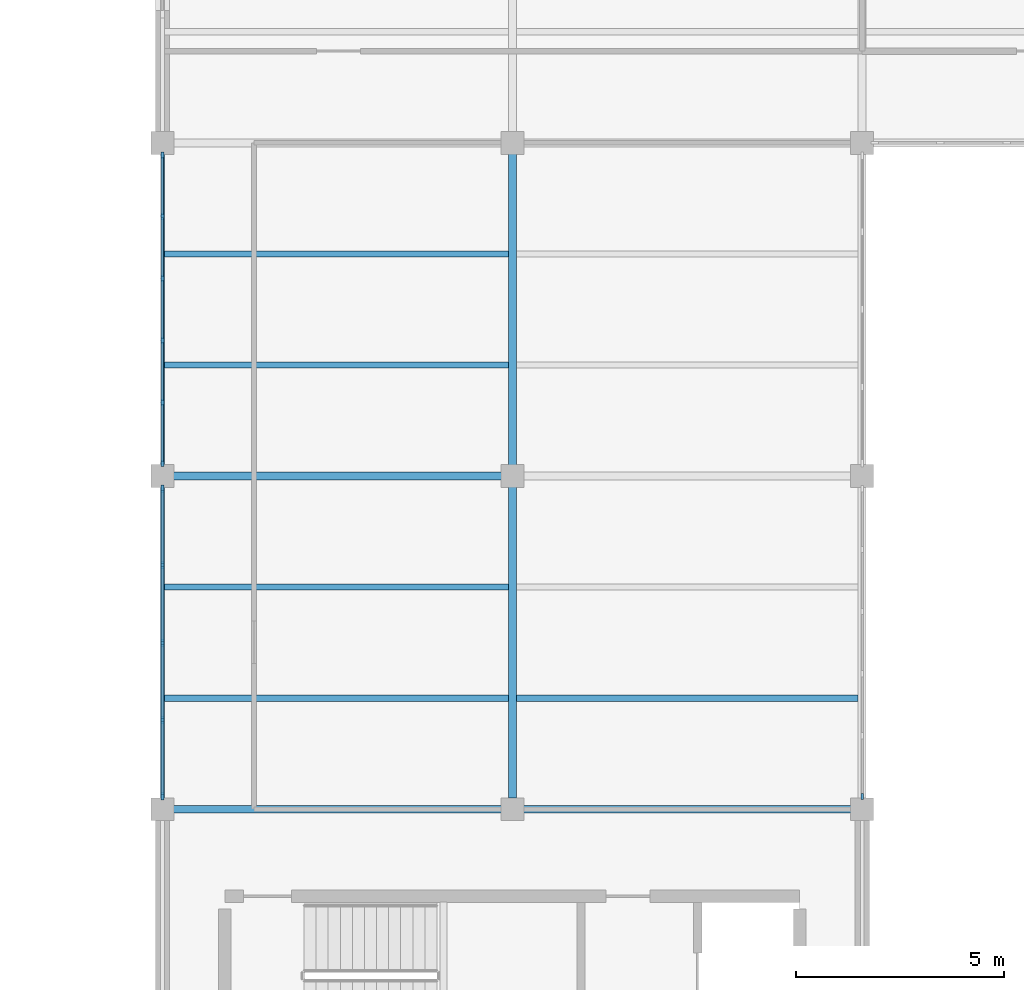
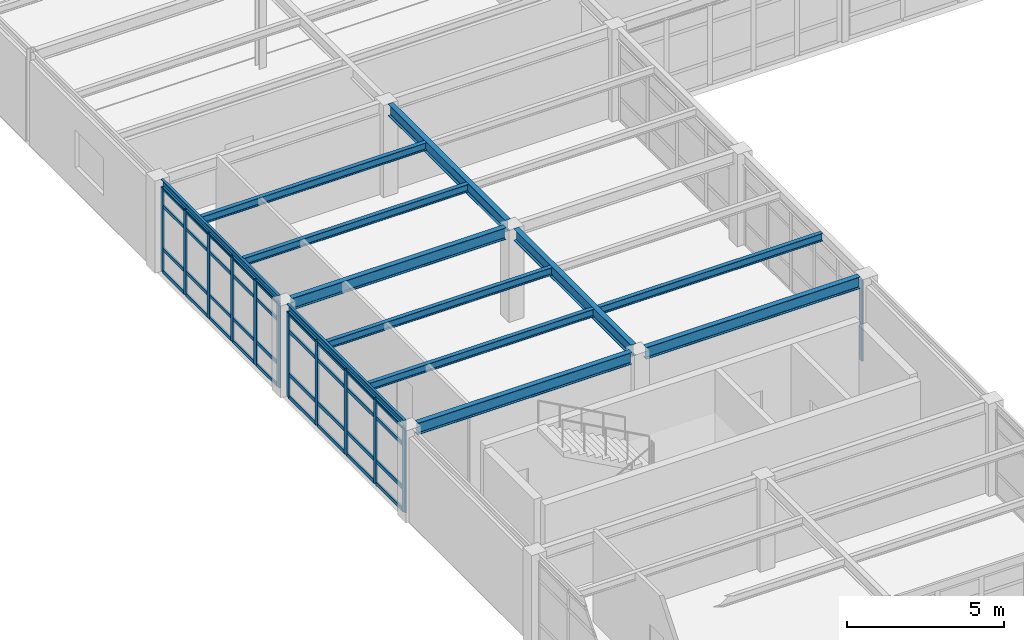
# One storey, part 22 of 53: 48 members, 12 beams, 3 elements without a shape of their own.
"""IFC4 building model written with IfcOpenShell, lengths in metres."""

import ifcopenshell
import ifcopenshell.guid

model = None  # the IFC model being written
_history = None  # IfcOwnerHistory: only IFC2X3 demands one
_inside = {}  # id of a spatial element -> (the spatial element, [elements in it])
_under = {}  # id of a project, library or spatial element -> (it, [spatial elements below it])
_declared = {}  # id of a project -> (the project, [libraries it declares])
_typed = {}  # id of a type object -> (the type object, [elements of that type])
_made_of = {}  # id of a material, layer set ... -> (it, [elements and type objects made of it])


def new_model(schema):
    """Start an empty IFC model of exactly this schema.

    Asked for "IFC4X3", IfcOpenShell would pick the latest addendum, in which some entities
    have other attributes; the version numbers below select the first issue.
    IFC2X3 requires an IfcOwnerHistory on every rooted entity: one is made here for all.
    """
    global model, _history
    if schema == "IFC4X3":
        model = ifcopenshell.file(schema_version=(4, 3, 0, 0))
    else:
        model = ifcopenshell.file(schema=schema)
    _inside.clear()
    _under.clear()
    _declared.clear()
    _typed.clear()
    _made_of.clear()
    _history = None
    if model.schema == "IFC2X3":
        org = make("IfcOrganization", Name="unknown")
        user = make(
            "IfcPersonAndOrganization",
            ThePerson=make("IfcPerson", FamilyName="unknown"),
            TheOrganization=org,
        )
        app = make(
            "IfcApplication",
            ApplicationDeveloper=org,
            Version="unknown",
            ApplicationFullName="unknown",
            ApplicationIdentifier="unknown",
        )
        _history = make(
            "IfcOwnerHistory",
            OwningUser=user,
            OwningApplication=app,
            ChangeAction="ADDED",
            CreationDate=0,
        )
    return model


def make(cls, **values):
    """One entity of the class cls with the attributes given. An attribute that is None is left unset."""
    return model.create_entity(
        cls, **{name: value for name, value in values.items() if value is not None}
    )


def rooted(cls, **values):
    """An entity with a GlobalId (a new one), such as an element, a storey or a relation."""
    return make(cls, GlobalId=ifcopenshell.guid.new(), OwnerHistory=_history, **values)


def si_unit(unit_type, name, prefix=None):
    """IfcSIUnit, for example si_unit("LENGTHUNIT", "METRE", prefix="MILLI")."""
    return make("IfcSIUnit", UnitType=unit_type, Prefix=prefix, Name=name)


def assignment(units):
    """IfcUnitAssignment: the units of a project."""
    return None if units is None else make("IfcUnitAssignment", Units=units)


def point(xyz):
    """IfcCartesianPoint."""
    return None if xyz is None else make("IfcCartesianPoint", Coordinates=xyz)


def direction(xyz):
    """IfcDirection."""
    return None if xyz is None else make("IfcDirection", DirectionRatios=xyz)


def frame(location, z_axis=None, x_axis=None):
    """IfcAxis2Placement3D, a coordinate frame: its origin and axes. An axis left out is left unset."""
    return make(
        "IfcAxis2Placement3D",
        Location=point(location),
        Axis=direction(z_axis),
        RefDirection=direction(x_axis),
    )


def frame_2d(location, x_axis=None):
    """IfcAxis2Placement2D, a coordinate frame in the plane: its origin and x axis."""
    return make(
        "IfcAxis2Placement2D", Location=point(location), RefDirection=direction(x_axis)
    )


def origin():
    """The frame at (0, 0, 0) with its axes left unset."""
    return frame((0.0, 0.0, 0.0))


def origin_2d():
    """The frame at (0, 0) in the plane with its x axis left unset."""
    return frame_2d((0.0, 0.0))


def place(relative_to, where):
    """IfcLocalPlacement: puts the frame where relative to a parent placement (None: the world)."""
    return make(
        "IfcLocalPlacement", PlacementRelTo=relative_to, RelativePlacement=where
    )


def context(
    kind, dimensions, precision=None, world=None, true_north=None, identifier=None
):
    """IfcGeometricRepresentationContext, for example the 3D "Model" context."""
    return make(
        "IfcGeometricRepresentationContext",
        ContextIdentifier=identifier,
        ContextType=kind,
        CoordinateSpaceDimension=dimensions,
        Precision=precision,
        WorldCoordinateSystem=world,
        TrueNorth=true_north,
    )


def subcontext(parent, identifier, kind, view, scale=None):
    """IfcGeometricRepresentationSubContext, for example "Body" below "Model"."""
    return make(
        "IfcGeometricRepresentationSubContext",
        ContextIdentifier=identifier,
        ContextType=kind,
        ParentContext=parent,
        TargetScale=scale,
        TargetView=view,
    )


def project(units=None, contexts=None):
    """IfcProject with its units and contexts."""
    return rooted(
        "IfcProject",
        Name="project",
        RepresentationContexts=contexts,
        UnitsInContext=assignment(units),
    )


def spatial(cls, under=None, at=None, **own):
    """A site, building, storey or space (cls), placed at a placement, below another one or the project."""
    s = rooted(cls, ObjectPlacement=at, **own)
    if under is not None:
        _under.setdefault(under.id(), (under, []))[1].append(s)
    return s


def profile(cls, at=None, kind="AREA", **sizes):
    """A parametric profile (cls). Its sizes go by their IFC names, for example OverallWidth=200.0."""
    return make(cls, ProfileType=kind, Position=at, **sizes)


def rectangle(**sizes):
    """IfcRectangleProfileDef."""
    return profile("IfcRectangleProfileDef", **sizes)


def i_section(**sizes):
    """IfcIShapeProfileDef."""
    return profile("IfcIShapeProfileDef", **sizes)


def u_section(**sizes):
    """IfcUShapeProfileDef."""
    return profile("IfcUShapeProfileDef", **sizes)


def extrude(swept, where, along, depth):
    """IfcExtrudedAreaSolid: the profile swept, set in the frame where, extruded along a direction by depth."""
    return make(
        "IfcExtrudedAreaSolid",
        SweptArea=swept,
        Position=where,
        ExtrudedDirection=direction(along),
        Depth=depth,
    )


def shape(context_of_items, identifier, shape_type, items):
    """IfcShapeRepresentation: the items that make up one representation, for example the "Body"."""
    return make(
        "IfcShapeRepresentation",
        ContextOfItems=context_of_items,
        RepresentationIdentifier=identifier,
        RepresentationType=shape_type,
        Items=items,
    )


def material(Name=None, Category=None):
    """IfcMaterial."""
    return make("IfcMaterial", Name=Name, Category=Category)


def layer(
    of_material, thickness, ventilated=None, Name=None, Category=None, Priority=None
):
    """IfcMaterialLayer: one layer of a wall or slab, of a material (None: an air gap)."""
    return make(
        "IfcMaterialLayer",
        Material=of_material,
        LayerThickness=thickness,
        IsVentilated=ventilated,
        Name=Name,
        Category=Category,
        Priority=Priority,
    )


def layer_set(layers, Name=None):
    """IfcMaterialLayerSet."""
    return make("IfcMaterialLayerSet", MaterialLayers=layers, LayerSetName=Name)


def material_profile(
    of_material, cross_section, Name=None, Category=None, Priority=None
):
    """IfcMaterialProfile: a cross section and its material."""
    return make(
        "IfcMaterialProfile",
        Name=Name,
        Material=of_material,
        Profile=cross_section,
        Priority=Priority,
        Category=Category,
    )


def profile_set(profiles, Name=None, composite=None):
    """IfcMaterialProfileSet."""
    return make(
        "IfcMaterialProfileSet",
        Name=Name,
        MaterialProfiles=profiles,
        CompositeProfile=composite,
    )


def made_of(thing, what):
    """Note that an element or type object is made of a material, layer set ...; save() writes the relation."""
    if what is not None:
        _made_of.setdefault(what.id(), (what, []))[1].append(thing)
    return thing


def type_object(cls, material=None, **own):
    """A type object (cls), such as IfcWallType, which elements share."""
    return made_of(rooted(cls, **own), material)


def element(
    cls,
    number,
    at=None,
    inside=None,
    cuts=None,
    type_object=None,
    material=None,
    context=None,
    identifier="Body",
    shape_type=None,
    held_by="IfcProductDefinitionShape",
    body=None,
    shapes=None,
    **own,
):
    """One element of the class cls, such as IfcWall. Its Tag is "e" and its number.

    at: its placement. inside: the storey or other place that contains it. cuts: it is an
    opening in that element (IfcRelVoidsElement). A single representation is given by context,
    identifier, shape_type and body (its items); several are given by shapes. held_by: the class
    of the entity that holds the representations. save() writes the other relations.
    """
    e = rooted(cls, Tag="e%d" % number, ObjectPlacement=at, **own)
    if body is not None:
        shapes = [shape(context, identifier, shape_type, body)]
    if shapes is not None:
        e.Representation = make(held_by, Representations=shapes)
    if inside is not None:
        _inside.setdefault(inside.id(), (inside, []))[1].append(e)
    if cuts is not None:
        rooted(
            "IfcRelVoidsElement", RelatingBuildingElement=cuts, RelatedOpeningElement=e
        )
    if type_object is not None:
        _typed.setdefault(type_object.id(), (type_object, []))[1].append(e)
    return made_of(e, material)


def aggregate(whole, parts):
    """IfcRelAggregates: a whole, such as a stair, and the parts it consists of."""
    return rooted("IfcRelAggregates", RelatingObject=whole, RelatedObjects=parts)


def save(model, path):
    """Write the relations noted so far, then the file.

    IfcRelAggregates (storeys below a building ...), IfcRelContainedInSpatialStructure (elements
    in a storey), IfcRelDefinesByType, IfcRelAssociatesMaterial and IfcRelDeclares: one each for
    every whole, place, type object, material and project.
    """
    for whole, parts in _under.values():
        aggregate(whole, parts)
    for where, things in _inside.values():
        rooted(
            "IfcRelContainedInSpatialStructure",
            RelatedElements=things,
            RelatingStructure=where,
        )
    for kind, things in _typed.values():
        rooted("IfcRelDefinesByType", RelatedObjects=things, RelatingType=kind)
    for what, things in _made_of.values():
        rooted("IfcRelAssociatesMaterial", RelatedObjects=things, RelatingMaterial=what)
    for by, libraries in _declared.values():
        rooted("IfcRelDeclares", RelatingContext=by, RelatedDefinitions=libraries)
    model.write(path)


model = new_model("IFC4")

# Units and contexts
model_context = context("Model", 3, precision=1e-05, world=origin(), true_north=direction((0.0, 1.0)))
body_context = subcontext(model_context, "Body", "Model", "MODEL_VIEW")
ifc_project = project(units=[si_unit("LENGTHUNIT", "METRE"), si_unit("AREAUNIT", "SQUARE_METRE"), si_unit("VOLUMEUNIT", "CUBIC_METRE"), si_unit("PLANEANGLEUNIT", "RADIAN"), si_unit("MASSUNIT", "GRAM", prefix="KILO")], contexts=[model_context])

# Site, building, storey
site_placement = place(None, origin())
site = spatial("IfcSite", under=ifc_project, at=site_placement, CompositionType="ELEMENT")
building_placement = place(site_placement, origin())
building = spatial("IfcBuilding", under=site, at=building_placement, Name="Kranzveld Transit Interchange", CompositionType="ELEMENT")
storey_placement = place(building_placement, frame((0.0, 0.0, 13.360107421875)))
storey = spatial("IfcBuildingStorey", under=building, at=storey_placement, Name="L03", CompositionType="ELEMENT", Elevation=13.360107421875)

# Beams
ifc_material_1 = material(Name="Steel S355JR", Category="steel")
ifc_material_profile_1 = material_profile(ifc_material_1, i_section(OverallWidth=0.18994140625, OverallDepth=0.453369140625, WebThickness=0.008544921875, FlangeThickness=0.0126953125, FilletRadius=0.01025390625, at=origin_2d()), Name="UB 457x191x67")
ifc_profile_set_1 = profile_set([ifc_material_profile_1], Name="Steel S355JR")
beam_type_1 = type_object("IfcBeamType", Name="Beam Steel UB 457x191x67 S355JR", PredefinedType="BEAM", material=ifc_profile_set_1)
for number, where, z_axis, x_axis, name in (
    (1, (109.199951171875, 80.264892578125, 3.353271484375), (0.0, 1.0, 0.0), (-1.0, 0.0, 0.0), "L03 Girder 14/L-M"),
    (2, (109.199951171875, 88.264892578125, 3.353271484375), (0.0, 1.0, 0.0), (-1.0, 0.0, 0.0), "L03 Girder 14/M-N"),
):
    element("IfcBeam", number, at=place(storey_placement, frame(where, z_axis=z_axis, x_axis=x_axis)), inside=storey, type_object=beam_type_1, Name=name, PredefinedType="BEAM", context=body_context, shape_type="SweptSolid", body=[
        extrude(i_section(OverallWidth=0.18994140625, OverallDepth=0.453369140625, WebThickness=0.008544921875, FlangeThickness=0.0126953125, FilletRadius=0.01025390625, at=origin_2d()), origin(), (0.0, 0.0, 1.0), 7.47021484375),
    ])
ifc_material_2 = material(Name="Steel S355JR", Category="steel")
ifc_material_profile_2 = material_profile(ifc_material_2, i_section(OverallWidth=0.1904296875, OverallDepth=0.45703125, WebThickness=0.009033203125, FlangeThickness=0.014404296875, FilletRadius=0.01025390625, at=origin_2d()), Name="UB 457x191x74")
ifc_profile_set_2 = profile_set([ifc_material_profile_2], Name="Steel S355JR")
beam_type_2 = type_object("IfcBeamType", Name="Beam Steel UB 457x191x74 S355JR", PredefinedType="BEAM", material=ifc_profile_set_2)
beam_1_placement = place(storey_placement, frame((101.06494140625, 80.0, 3.351318359375), z_axis=(1.0, 0.0, 0.0), x_axis=(0.0, 1.0, 0.0)))
element("IfcBeam", 3, at=beam_1_placement, inside=storey, type_object=beam_type_2, Name="L03 Girder 13-14/L", PredefinedType="BEAM", context=body_context, shape_type="SweptSolid", body=[
    extrude(i_section(OverallWidth=0.1904296875, OverallDepth=0.45703125, WebThickness=0.009033203125, FlangeThickness=0.014404296875, FilletRadius=0.01025390625, at=origin_2d()), origin(), (0.0, 0.0, 1.0), 7.8701171875),
])
beam_2_placement = place(storey_placement, frame((109.465087890625, 80.0, 3.351318359375), z_axis=(1.0, 0.0, 0.0), x_axis=(0.0, 1.0, 0.0)))
element("IfcBeam", 4, at=beam_2_placement, inside=storey, type_object=beam_type_2, Name="L03 Girder 14-15/L", PredefinedType="BEAM", context=body_context, shape_type="SweptSolid", body=[
    extrude(i_section(OverallWidth=0.1904296875, OverallDepth=0.45703125, WebThickness=0.009033203125, FlangeThickness=0.014404296875, FilletRadius=0.01025390625, at=origin_2d()), origin(), (0.0, 0.0, 1.0), 7.869873046875),
])
beam_3_placement = place(storey_placement, frame((101.06494140625, 88.0, 3.351318359375), z_axis=(1.0, 0.0, 0.0), x_axis=(0.0, 1.0, 0.0)))
element("IfcBeam", 5, at=beam_3_placement, inside=storey, type_object=beam_type_2, Name="L03 Girder 13-14/M", PredefinedType="BEAM", context=body_context, shape_type="SweptSolid", body=[
    extrude(i_section(OverallWidth=0.1904296875, OverallDepth=0.45703125, WebThickness=0.009033203125, FlangeThickness=0.014404296875, FilletRadius=0.01025390625, at=origin_2d()), origin(), (0.0, 0.0, 1.0), 7.8701171875),
])

# Curtain wall, member
ifc_material_3 = material(Name="Bronze-anodised thermally broken aluminium", Category="aluminium")
ifc_layer_1 = layer(ifc_material_3, 0.14990234375)
ifc_layer_set_1 = layer_set([ifc_layer_1], Name="Bronze-anodised thermally broken aluminium")
curtain_wall_type_1 = type_object("IfcCurtainWallType", Name="Public Passage Clerestory Screen CW-4", PredefinedType="USERDEFINED", material=ifc_layer_set_1)
curtain_wall_1_placement = place(storey_placement, origin())
curtain_wall_1 = element("IfcCurtainWall", 6, at=curtain_wall_1_placement, inside=storey, type_object=curtain_wall_type_1, Name="L03 Curtain Wall 15/L-15/M", ObjectType="CURTAIN WALL", PredefinedType="USERDEFINED")
ifc_material_4 = material(Name="Bronze-anodised thermally broken aluminium", Category="aluminium")
ifc_material_profile_3 = material_profile(ifc_material_4, rectangle(XDim=0.06005859375, YDim=0.14990234375, at=origin_2d()), Name="ALU MULLION 60x150")
ifc_profile_set_3 = profile_set([ifc_material_profile_3], Name="Bronze-anodised thermally broken aluminium")
member_type_1 = type_object("IfcMemberType", Name="Curtain Wall Mullion 60x150 Alu", PredefinedType="MULLION", material=ifc_profile_set_3)
member_1_placement = place(storey_placement, frame((117.60009765625, 80.304931640625, 0.0), z_axis=(0.0, 0.0, 1.0), x_axis=(-1.0, 0.0, 0.0)))
member_1 = element("IfcMember", 7, at=member_1_placement, type_object=member_type_1, Name="CW-4 mullion 1", PredefinedType="MULLION", context=body_context, shape_type="SweptSolid", body=[
    extrude(rectangle(XDim=0.06005859375, YDim=0.14990234375, at=origin_2d()), origin(), (0.0, 0.0, 1.0), 3.12646484375),
])
aggregate(curtain_wall_1, [member_1])

# Curtain wall, members
ifc_material_5 = material(Name="Bronze-anodised thermally broken aluminium", Category="aluminium")
ifc_layer_2 = layer(ifc_material_5, 0.1650390625)
ifc_layer_set_2 = layer_set([ifc_layer_2], Name="Bronze-anodised thermally broken aluminium")
curtain_wall_type_2 = type_object("IfcCurtainWallType", Name="Sunny Court Arcade Curtain Wall CW-2", PredefinedType="USERDEFINED", material=ifc_layer_set_2)
curtain_wall_2_placement = place(storey_placement, origin())
curtain_wall_2 = element("IfcCurtainWall", 8, at=curtain_wall_2_placement, inside=storey, type_object=curtain_wall_type_2, Name="L03 Curtain Wall 13/M-13/N", ObjectType="CURTAIN WALL", PredefinedType="USERDEFINED")
ifc_material_6 = material(Name="Bronze-anodised thermally broken aluminium", Category="aluminium")
ifc_material_profile_4 = material_profile(ifc_material_6, rectangle(XDim=0.06494140625, YDim=0.1650390625, at=origin_2d()), Name="ALU MULLION 65x165")
ifc_profile_set_4 = profile_set([ifc_material_profile_4], Name="Bronze-anodised thermally broken aluminium")
member_type_2 = type_object("IfcMemberType", Name="Curtain Wall Mullion 65x165 Alu", PredefinedType="MULLION", material=ifc_profile_set_4)
member_2_placement = place(storey_placement, frame((100.800048828125, 88.3076171875, 0.0), z_axis=(0.0, 0.0, 1.0), x_axis=(-1.0, 0.0, 0.0)))
member_2 = element("IfcMember", 9, at=member_2_placement, type_object=member_type_2, Name="CW-2 mullion 1", PredefinedType="MULLION", context=body_context, shape_type="SweptSolid", body=[
    extrude(rectangle(XDim=0.06494140625, YDim=0.1650390625, at=origin_2d()), origin(), (0.0, 0.0, 1.0), 3.27978515625),
])
member_3_placement = place(storey_placement, frame((100.800048828125, 89.764892578125, 0.0), z_axis=(0.0, 0.0, 1.0), x_axis=(-1.0, 0.0, 0.0)))
member_3 = element("IfcMember", 10, at=member_3_placement, type_object=member_type_2, Name="CW-2 mullion 2", PredefinedType="MULLION", context=body_context, shape_type="SweptSolid", body=[
    extrude(rectangle(XDim=0.06494140625, YDim=0.1650390625, at=origin_2d()), origin(), (0.0, 0.0, 1.0), 3.27978515625),
])
member_4_placement = place(storey_placement, frame((100.800048828125, 91.2548828125, 0.0), z_axis=(0.0, 0.0, 1.0), x_axis=(-1.0, 0.0, 0.0)))
member_4 = element("IfcMember", 11, at=member_4_placement, type_object=member_type_2, Name="CW-2 mullion 3", PredefinedType="MULLION", context=body_context, shape_type="SweptSolid", body=[
    extrude(rectangle(XDim=0.06494140625, YDim=0.1650390625, at=origin_2d()), origin(), (0.0, 0.0, 1.0), 3.27978515625),
])
member_5_placement = place(storey_placement, frame((100.800048828125, 92.7451171875, 0.0), z_axis=(0.0, 0.0, 1.0), x_axis=(-1.0, 0.0, 0.0)))
member_5 = element("IfcMember", 12, at=member_5_placement, type_object=member_type_2, Name="CW-2 mullion 4", PredefinedType="MULLION", context=body_context, shape_type="SweptSolid", body=[
    extrude(rectangle(XDim=0.06494140625, YDim=0.1650390625, at=origin_2d()), origin(), (0.0, 0.0, 1.0), 3.27978515625),
])
member_6_placement = place(storey_placement, frame((100.800048828125, 94.235107421875, 0.0), z_axis=(0.0, 0.0, 1.0), x_axis=(-1.0, 0.0, 0.0)))
member_6 = element("IfcMember", 13, at=member_6_placement, type_object=member_type_2, Name="CW-2 mullion 5", PredefinedType="MULLION", context=body_context, shape_type="SweptSolid", body=[
    extrude(rectangle(XDim=0.06494140625, YDim=0.1650390625, at=origin_2d()), origin(), (0.0, 0.0, 1.0), 3.27978515625),
])
member_7_placement = place(storey_placement, frame((100.800048828125, 95.6923828125, 0.0), z_axis=(0.0, 0.0, 1.0), x_axis=(-1.0, 0.0, 0.0)))
member_7 = element("IfcMember", 14, at=member_7_placement, type_object=member_type_2, Name="CW-2 mullion 6", PredefinedType="MULLION", context=body_context, shape_type="SweptSolid", body=[
    extrude(rectangle(XDim=0.06494140625, YDim=0.1650390625, at=origin_2d()), origin(), (0.0, 0.0, 1.0), 3.27978515625),
])

ifc_material_7 = material(Name="Bronze-anodised thermally broken aluminium", Category="aluminium")
ifc_layer_3 = layer(ifc_material_7, 0.179931640625)
ifc_layer_set_3 = layer_set([ifc_layer_3], Name="Bronze-anodised thermally broken aluminium")
curtain_wall_type_3 = type_object("IfcCurtainWallType", Name="Concourse Unitised Curtain Wall CW-1", PredefinedType="USERDEFINED", material=ifc_layer_set_3)
curtain_wall_3_placement = place(storey_placement, origin())
curtain_wall_3 = element("IfcCurtainWall", 15, at=curtain_wall_3_placement, inside=storey, type_object=curtain_wall_type_3, Name="L03 Curtain Wall 13/L-13/M", ObjectType="CURTAIN WALL", PredefinedType="USERDEFINED")
ifc_material_8 = material(Name="Bronze-anodised thermally broken aluminium", Category="aluminium")
ifc_material_profile_5 = material_profile(ifc_material_8, rectangle(XDim=0.06494140625, YDim=0.179931640625, at=origin_2d()), Name="ALU MULLION 65x180")
ifc_profile_set_5 = profile_set([ifc_material_profile_5], Name="Bronze-anodised thermally broken aluminium")
member_type_3 = type_object("IfcMemberType", Name="Curtain Wall Mullion 65x180 Alu", PredefinedType="MULLION", material=ifc_profile_set_5)
member_8_placement = place(storey_placement, frame((100.800048828125, 80.3076171875, 0.0), z_axis=(0.0, 0.0, 1.0), x_axis=(-1.0, 0.0, 0.0)))
member_8 = element("IfcMember", 16, at=member_8_placement, type_object=member_type_3, Name="CW-1 mullion 1", PredefinedType="MULLION", context=body_context, shape_type="SweptSolid", body=[
    extrude(rectangle(XDim=0.06494140625, YDim=0.179931640625, at=origin_2d()), origin(), (0.0, 0.0, 1.0), 3.27978515625),
])
member_9_placement = place(storey_placement, frame((100.800048828125, 82.137451171875, 0.0), z_axis=(0.0, 0.0, 1.0), x_axis=(-1.0, 0.0, 0.0)))
member_9 = element("IfcMember", 17, at=member_9_placement, type_object=member_type_3, Name="CW-1 mullion 2", PredefinedType="MULLION", context=body_context, shape_type="SweptSolid", body=[
    extrude(rectangle(XDim=0.06494140625, YDim=0.179931640625, at=origin_2d()), origin(), (0.0, 0.0, 1.0), 3.27978515625),
])
member_10_placement = place(storey_placement, frame((100.800048828125, 84.0, 0.0), z_axis=(0.0, 0.0, 1.0), x_axis=(-1.0, 0.0, 0.0)))
member_10 = element("IfcMember", 18, at=member_10_placement, type_object=member_type_3, Name="CW-1 mullion 3", PredefinedType="MULLION", context=body_context, shape_type="SweptSolid", body=[
    extrude(rectangle(XDim=0.06494140625, YDim=0.179931640625, at=origin_2d()), origin(), (0.0, 0.0, 1.0), 3.27978515625),
])
member_11_placement = place(storey_placement, frame((100.800048828125, 85.862548828125, 0.0), z_axis=(0.0, 0.0, 1.0), x_axis=(-1.0, 0.0, 0.0)))
member_11 = element("IfcMember", 19, at=member_11_placement, type_object=member_type_3, Name="CW-1 mullion 4", PredefinedType="MULLION", context=body_context, shape_type="SweptSolid", body=[
    extrude(rectangle(XDim=0.06494140625, YDim=0.179931640625, at=origin_2d()), origin(), (0.0, 0.0, 1.0), 3.27978515625),
])
member_12_placement = place(storey_placement, frame((100.800048828125, 87.6923828125, 0.0), z_axis=(0.0, 0.0, 1.0), x_axis=(-1.0, 0.0, 0.0)))
member_12 = element("IfcMember", 20, at=member_12_placement, type_object=member_type_3, Name="CW-1 mullion 5", PredefinedType="MULLION", context=body_context, shape_type="SweptSolid", body=[
    extrude(rectangle(XDim=0.06494140625, YDim=0.179931640625, at=origin_2d()), origin(), (0.0, 0.0, 1.0), 3.27978515625),
])

# Member
ifc_material_9 = material(Name="Bronze-anodised thermally broken aluminium", Category="aluminium")
ifc_material_profile_6 = material_profile(ifc_material_9, rectangle(XDim=0.06005859375, YDim=0.125, at=origin_2d()), Name="ALU TRANSOM 60x125")
ifc_profile_set_6 = profile_set([ifc_material_profile_6], Name="Bronze-anodised thermally broken aluminium")
member_type_4 = type_object("IfcMemberType", Name="Curtain Wall Transom 60x125 Alu", PredefinedType="USERDEFINED", material=ifc_profile_set_6)
member_13_placement = place(storey_placement, frame((100.800048828125, 88.340087890625, 0.02978515625), z_axis=(0.0, 1.0, 0.0), x_axis=(-1.0, 0.0, 0.0)))
member_13 = element("IfcMember", 21, at=member_13_placement, type_object=member_type_4, Name="CW-2 transom 1.1", ObjectType="TRANSOM", PredefinedType="USERDEFINED", context=body_context, shape_type="SweptSolid", body=[
    extrude(rectangle(XDim=0.06005859375, YDim=0.125, at=origin_2d()), origin(), (0.0, 0.0, 1.0), 1.392333984375),
])

member_14_placement = place(storey_placement, frame((100.800048828125, 88.340087890625, 0.89990234375), z_axis=(0.0, 1.0, 0.0), x_axis=(-1.0, 0.0, 0.0)))
member_14 = element("IfcMember", 22, at=member_14_placement, type_object=member_type_4, Name="CW-2 transom 1.2", ObjectType="TRANSOM", PredefinedType="USERDEFINED", context=body_context, shape_type="SweptSolid", body=[
    extrude(rectangle(XDim=0.06005859375, YDim=0.125, at=origin_2d()), origin(), (0.0, 0.0, 1.0), 1.392333984375),
])

member_15_placement = place(storey_placement, frame((100.800048828125, 88.340087890625, 2.579833984375), z_axis=(0.0, 1.0, 0.0), x_axis=(-1.0, 0.0, 0.0)))
member_15 = element("IfcMember", 23, at=member_15_placement, type_object=member_type_4, Name="CW-2 transom 1.3", ObjectType="TRANSOM", PredefinedType="USERDEFINED", context=body_context, shape_type="SweptSolid", body=[
    extrude(rectangle(XDim=0.06005859375, YDim=0.125, at=origin_2d()), origin(), (0.0, 0.0, 1.0), 1.392333984375),
])

member_16_placement = place(storey_placement, frame((100.800048828125, 88.340087890625, 3.25), z_axis=(0.0, 1.0, 0.0), x_axis=(-1.0, 0.0, 0.0)))
member_16 = element("IfcMember", 24, at=member_16_placement, type_object=member_type_4, Name="CW-2 transom 1.4", ObjectType="TRANSOM", PredefinedType="USERDEFINED", context=body_context, shape_type="SweptSolid", body=[
    extrude(rectangle(XDim=0.06005859375, YDim=0.125, at=origin_2d()), origin(), (0.0, 0.0, 1.0), 1.392333984375),
])

member_17_placement = place(storey_placement, frame((100.800048828125, 89.797607421875, 0.02978515625), z_axis=(0.0, 1.0, 0.0), x_axis=(-1.0, 0.0, 0.0)))
member_17 = element("IfcMember", 25, at=member_17_placement, type_object=member_type_4, Name="CW-2 transom 2.1", ObjectType="TRANSOM", PredefinedType="USERDEFINED", context=body_context, shape_type="SweptSolid", body=[
    extrude(rectangle(XDim=0.06005859375, YDim=0.125, at=origin_2d()), origin(), (0.0, 0.0, 1.0), 1.4248046875),
])

member_18_placement = place(storey_placement, frame((100.800048828125, 89.797607421875, 0.89990234375), z_axis=(0.0, 1.0, 0.0), x_axis=(-1.0, 0.0, 0.0)))
member_18 = element("IfcMember", 26, at=member_18_placement, type_object=member_type_4, Name="CW-2 transom 2.2", ObjectType="TRANSOM", PredefinedType="USERDEFINED", context=body_context, shape_type="SweptSolid", body=[
    extrude(rectangle(XDim=0.06005859375, YDim=0.125, at=origin_2d()), origin(), (0.0, 0.0, 1.0), 1.4248046875),
])

member_19_placement = place(storey_placement, frame((100.800048828125, 89.797607421875, 2.579833984375), z_axis=(0.0, 1.0, 0.0), x_axis=(-1.0, 0.0, 0.0)))
member_19 = element("IfcMember", 27, at=member_19_placement, type_object=member_type_4, Name="CW-2 transom 2.3", ObjectType="TRANSOM", PredefinedType="USERDEFINED", context=body_context, shape_type="SweptSolid", body=[
    extrude(rectangle(XDim=0.06005859375, YDim=0.125, at=origin_2d()), origin(), (0.0, 0.0, 1.0), 1.4248046875),
])

member_20_placement = place(storey_placement, frame((100.800048828125, 89.797607421875, 3.25), z_axis=(0.0, 1.0, 0.0), x_axis=(-1.0, 0.0, 0.0)))
member_20 = element("IfcMember", 28, at=member_20_placement, type_object=member_type_4, Name="CW-2 transom 2.4", ObjectType="TRANSOM", PredefinedType="USERDEFINED", context=body_context, shape_type="SweptSolid", body=[
    extrude(rectangle(XDim=0.06005859375, YDim=0.125, at=origin_2d()), origin(), (0.0, 0.0, 1.0), 1.4248046875),
])

member_21_placement = place(storey_placement, frame((100.800048828125, 91.28759765625, 0.02978515625), z_axis=(0.0, 1.0, 0.0), x_axis=(-1.0, 0.0, 0.0)))
member_21 = element("IfcMember", 29, at=member_21_placement, type_object=member_type_4, Name="CW-2 transom 3.1", ObjectType="TRANSOM", PredefinedType="USERDEFINED", context=body_context, shape_type="SweptSolid", body=[
    extrude(rectangle(XDim=0.06005859375, YDim=0.125, at=origin_2d()), origin(), (0.0, 0.0, 1.0), 1.4248046875),
])

member_22_placement = place(storey_placement, frame((100.800048828125, 91.28759765625, 0.89990234375), z_axis=(0.0, 1.0, 0.0), x_axis=(-1.0, 0.0, 0.0)))
member_22 = element("IfcMember", 30, at=member_22_placement, type_object=member_type_4, Name="CW-2 transom 3.2", ObjectType="TRANSOM", PredefinedType="USERDEFINED", context=body_context, shape_type="SweptSolid", body=[
    extrude(rectangle(XDim=0.06005859375, YDim=0.125, at=origin_2d()), origin(), (0.0, 0.0, 1.0), 1.4248046875),
])

member_23_placement = place(storey_placement, frame((100.800048828125, 91.28759765625, 2.579833984375), z_axis=(0.0, 1.0, 0.0), x_axis=(-1.0, 0.0, 0.0)))
member_23 = element("IfcMember", 31, at=member_23_placement, type_object=member_type_4, Name="CW-2 transom 3.3", ObjectType="TRANSOM", PredefinedType="USERDEFINED", context=body_context, shape_type="SweptSolid", body=[
    extrude(rectangle(XDim=0.06005859375, YDim=0.125, at=origin_2d()), origin(), (0.0, 0.0, 1.0), 1.4248046875),
])

member_24_placement = place(storey_placement, frame((100.800048828125, 91.28759765625, 3.25), z_axis=(0.0, 1.0, 0.0), x_axis=(-1.0, 0.0, 0.0)))
member_24 = element("IfcMember", 32, at=member_24_placement, type_object=member_type_4, Name="CW-2 transom 3.4", ObjectType="TRANSOM", PredefinedType="USERDEFINED", context=body_context, shape_type="SweptSolid", body=[
    extrude(rectangle(XDim=0.06005859375, YDim=0.125, at=origin_2d()), origin(), (0.0, 0.0, 1.0), 1.4248046875),
])

member_25_placement = place(storey_placement, frame((100.800048828125, 92.777587890625, 0.02978515625), z_axis=(0.0, 1.0, 0.0), x_axis=(-1.0, 0.0, 0.0)))
member_25 = element("IfcMember", 33, at=member_25_placement, type_object=member_type_4, Name="CW-2 transom 4.1", ObjectType="TRANSOM", PredefinedType="USERDEFINED", context=body_context, shape_type="SweptSolid", body=[
    extrude(rectangle(XDim=0.06005859375, YDim=0.125, at=origin_2d()), origin(), (0.0, 0.0, 1.0), 1.4248046875),
])

member_26_placement = place(storey_placement, frame((100.800048828125, 92.777587890625, 0.89990234375), z_axis=(0.0, 1.0, 0.0), x_axis=(-1.0, 0.0, 0.0)))
member_26 = element("IfcMember", 34, at=member_26_placement, type_object=member_type_4, Name="CW-2 transom 4.2", ObjectType="TRANSOM", PredefinedType="USERDEFINED", context=body_context, shape_type="SweptSolid", body=[
    extrude(rectangle(XDim=0.06005859375, YDim=0.125, at=origin_2d()), origin(), (0.0, 0.0, 1.0), 1.4248046875),
])

member_27_placement = place(storey_placement, frame((100.800048828125, 92.777587890625, 2.579833984375), z_axis=(0.0, 1.0, 0.0), x_axis=(-1.0, 0.0, 0.0)))
member_27 = element("IfcMember", 35, at=member_27_placement, type_object=member_type_4, Name="CW-2 transom 4.3", ObjectType="TRANSOM", PredefinedType="USERDEFINED", context=body_context, shape_type="SweptSolid", body=[
    extrude(rectangle(XDim=0.06005859375, YDim=0.125, at=origin_2d()), origin(), (0.0, 0.0, 1.0), 1.4248046875),
])

member_28_placement = place(storey_placement, frame((100.800048828125, 92.777587890625, 3.25), z_axis=(0.0, 1.0, 0.0), x_axis=(-1.0, 0.0, 0.0)))
member_28 = element("IfcMember", 36, at=member_28_placement, type_object=member_type_4, Name="CW-2 transom 4.4", ObjectType="TRANSOM", PredefinedType="USERDEFINED", context=body_context, shape_type="SweptSolid", body=[
    extrude(rectangle(XDim=0.06005859375, YDim=0.125, at=origin_2d()), origin(), (0.0, 0.0, 1.0), 1.4248046875),
])

member_29_placement = place(storey_placement, frame((100.800048828125, 94.267578125, 0.02978515625), z_axis=(0.0, 1.0, 0.0), x_axis=(-1.0, 0.0, 0.0)))
member_29 = element("IfcMember", 37, at=member_29_placement, type_object=member_type_4, Name="CW-2 transom 5.1", ObjectType="TRANSOM", PredefinedType="USERDEFINED", context=body_context, shape_type="SweptSolid", body=[
    extrude(rectangle(XDim=0.06005859375, YDim=0.125, at=origin_2d()), origin(), (0.0, 0.0, 1.0), 1.392333984375),
])

member_30_placement = place(storey_placement, frame((100.800048828125, 94.267578125, 0.89990234375), z_axis=(0.0, 1.0, 0.0), x_axis=(-1.0, 0.0, 0.0)))
member_30 = element("IfcMember", 38, at=member_30_placement, type_object=member_type_4, Name="CW-2 transom 5.2", ObjectType="TRANSOM", PredefinedType="USERDEFINED", context=body_context, shape_type="SweptSolid", body=[
    extrude(rectangle(XDim=0.06005859375, YDim=0.125, at=origin_2d()), origin(), (0.0, 0.0, 1.0), 1.392333984375),
])

member_31_placement = place(storey_placement, frame((100.800048828125, 94.267578125, 2.579833984375), z_axis=(0.0, 1.0, 0.0), x_axis=(-1.0, 0.0, 0.0)))
member_31 = element("IfcMember", 39, at=member_31_placement, type_object=member_type_4, Name="CW-2 transom 5.3", ObjectType="TRANSOM", PredefinedType="USERDEFINED", context=body_context, shape_type="SweptSolid", body=[
    extrude(rectangle(XDim=0.06005859375, YDim=0.125, at=origin_2d()), origin(), (0.0, 0.0, 1.0), 1.392333984375),
])

member_32_placement = place(storey_placement, frame((100.800048828125, 94.267578125, 3.25), z_axis=(0.0, 1.0, 0.0), x_axis=(-1.0, 0.0, 0.0)))
member_32 = element("IfcMember", 40, at=member_32_placement, type_object=member_type_4, Name="CW-2 transom 5.4", ObjectType="TRANSOM", PredefinedType="USERDEFINED", context=body_context, shape_type="SweptSolid", body=[
    extrude(rectangle(XDim=0.06005859375, YDim=0.125, at=origin_2d()), origin(), (0.0, 0.0, 1.0), 1.392333984375),
])

aggregate(curtain_wall_2, [member_2, member_3, member_4, member_5, member_6, member_7, member_13, member_14, member_15, member_16, member_17, member_18, member_19, member_20, member_21, member_22, member_23, member_24, member_25, member_26, member_27, member_28, member_29, member_30, member_31, member_32])

ifc_material_10 = material(Name="Bronze-anodised thermally broken aluminium", Category="aluminium")
ifc_material_profile_7 = material_profile(ifc_material_10, rectangle(XDim=0.06494140625, YDim=0.139892578125, at=origin_2d()), Name="ALU TRANSOM 65x140")
ifc_profile_set_7 = profile_set([ifc_material_profile_7], Name="Bronze-anodised thermally broken aluminium")
member_type_5 = type_object("IfcMemberType", Name="Curtain Wall Transom 65x140 Alu", PredefinedType="USERDEFINED", material=ifc_profile_set_7)
member_33_placement = place(storey_placement, frame((100.800048828125, 80.340087890625, 0.032470703125), z_axis=(0.0, 1.0, 0.0), x_axis=(-1.0, 0.0, 0.0)))
member_33 = element("IfcMember", 41, at=member_33_placement, type_object=member_type_5, Name="CW-1 transom 1.1", ObjectType="TRANSOM", PredefinedType="USERDEFINED", context=body_context, shape_type="SweptSolid", body=[
    extrude(rectangle(XDim=0.06494140625, YDim=0.139892578125, at=origin_2d()), origin(), (0.0, 0.0, 1.0), 1.764892578125),
])

member_34_placement = place(storey_placement, frame((100.800048828125, 80.340087890625, 0.89990234375), z_axis=(0.0, 1.0, 0.0), x_axis=(-1.0, 0.0, 0.0)))
member_34 = element("IfcMember", 42, at=member_34_placement, type_object=member_type_5, Name="CW-1 transom 1.2", ObjectType="TRANSOM", PredefinedType="USERDEFINED", context=body_context, shape_type="SweptSolid", body=[
    extrude(rectangle(XDim=0.06494140625, YDim=0.139892578125, at=origin_2d()), origin(), (0.0, 0.0, 1.0), 1.764892578125),
])

member_35_placement = place(storey_placement, frame((100.800048828125, 80.340087890625, 2.579833984375), z_axis=(0.0, 1.0, 0.0), x_axis=(-1.0, 0.0, 0.0)))
member_35 = element("IfcMember", 43, at=member_35_placement, type_object=member_type_5, Name="CW-1 transom 1.3", ObjectType="TRANSOM", PredefinedType="USERDEFINED", context=body_context, shape_type="SweptSolid", body=[
    extrude(rectangle(XDim=0.06494140625, YDim=0.139892578125, at=origin_2d()), origin(), (0.0, 0.0, 1.0), 1.764892578125),
])

member_36_placement = place(storey_placement, frame((100.800048828125, 80.340087890625, 3.247314453125), z_axis=(0.0, 1.0, 0.0), x_axis=(-1.0, 0.0, 0.0)))
member_36 = element("IfcMember", 44, at=member_36_placement, type_object=member_type_5, Name="CW-1 transom 1.4", ObjectType="TRANSOM", PredefinedType="USERDEFINED", context=body_context, shape_type="SweptSolid", body=[
    extrude(rectangle(XDim=0.06494140625, YDim=0.139892578125, at=origin_2d()), origin(), (0.0, 0.0, 1.0), 1.764892578125),
])

member_37_placement = place(storey_placement, frame((100.800048828125, 82.169921875, 0.032470703125), z_axis=(0.0, 1.0, 0.0), x_axis=(-1.0, 0.0, 0.0)))
member_37 = element("IfcMember", 45, at=member_37_placement, type_object=member_type_5, Name="CW-1 transom 2.1", ObjectType="TRANSOM", PredefinedType="USERDEFINED", context=body_context, shape_type="SweptSolid", body=[
    extrude(rectangle(XDim=0.06494140625, YDim=0.139892578125, at=origin_2d()), origin(), (0.0, 0.0, 1.0), 1.797607421875),
])

member_38_placement = place(storey_placement, frame((100.800048828125, 82.169921875, 0.89990234375), z_axis=(0.0, 1.0, 0.0), x_axis=(-1.0, 0.0, 0.0)))
member_38 = element("IfcMember", 46, at=member_38_placement, type_object=member_type_5, Name="CW-1 transom 2.2", ObjectType="TRANSOM", PredefinedType="USERDEFINED", context=body_context, shape_type="SweptSolid", body=[
    extrude(rectangle(XDim=0.06494140625, YDim=0.139892578125, at=origin_2d()), origin(), (0.0, 0.0, 1.0), 1.797607421875),
])

member_39_placement = place(storey_placement, frame((100.800048828125, 82.169921875, 2.579833984375), z_axis=(0.0, 1.0, 0.0), x_axis=(-1.0, 0.0, 0.0)))
member_39 = element("IfcMember", 47, at=member_39_placement, type_object=member_type_5, Name="CW-1 transom 2.3", ObjectType="TRANSOM", PredefinedType="USERDEFINED", context=body_context, shape_type="SweptSolid", body=[
    extrude(rectangle(XDim=0.06494140625, YDim=0.139892578125, at=origin_2d()), origin(), (0.0, 0.0, 1.0), 1.797607421875),
])

member_40_placement = place(storey_placement, frame((100.800048828125, 82.169921875, 3.247314453125), z_axis=(0.0, 1.0, 0.0), x_axis=(-1.0, 0.0, 0.0)))
member_40 = element("IfcMember", 48, at=member_40_placement, type_object=member_type_5, Name="CW-1 transom 2.4", ObjectType="TRANSOM", PredefinedType="USERDEFINED", context=body_context, shape_type="SweptSolid", body=[
    extrude(rectangle(XDim=0.06494140625, YDim=0.139892578125, at=origin_2d()), origin(), (0.0, 0.0, 1.0), 1.797607421875),
])

member_41_placement = place(storey_placement, frame((100.800048828125, 84.032470703125, 0.032470703125), z_axis=(0.0, 1.0, 0.0), x_axis=(-1.0, 0.0, 0.0)))
member_41 = element("IfcMember", 49, at=member_41_placement, type_object=member_type_5, Name="CW-1 transom 3.1", ObjectType="TRANSOM", PredefinedType="USERDEFINED", context=body_context, shape_type="SweptSolid", body=[
    extrude(rectangle(XDim=0.06494140625, YDim=0.139892578125, at=origin_2d()), origin(), (0.0, 0.0, 1.0), 1.797607421875),
])

member_42_placement = place(storey_placement, frame((100.800048828125, 84.032470703125, 0.89990234375), z_axis=(0.0, 1.0, 0.0), x_axis=(-1.0, 0.0, 0.0)))
member_42 = element("IfcMember", 50, at=member_42_placement, type_object=member_type_5, Name="CW-1 transom 3.2", ObjectType="TRANSOM", PredefinedType="USERDEFINED", context=body_context, shape_type="SweptSolid", body=[
    extrude(rectangle(XDim=0.06494140625, YDim=0.139892578125, at=origin_2d()), origin(), (0.0, 0.0, 1.0), 1.797607421875),
])

member_43_placement = place(storey_placement, frame((100.800048828125, 84.032470703125, 2.579833984375), z_axis=(0.0, 1.0, 0.0), x_axis=(-1.0, 0.0, 0.0)))
member_43 = element("IfcMember", 51, at=member_43_placement, type_object=member_type_5, Name="CW-1 transom 3.3", ObjectType="TRANSOM", PredefinedType="USERDEFINED", context=body_context, shape_type="SweptSolid", body=[
    extrude(rectangle(XDim=0.06494140625, YDim=0.139892578125, at=origin_2d()), origin(), (0.0, 0.0, 1.0), 1.797607421875),
])

member_44_placement = place(storey_placement, frame((100.800048828125, 84.032470703125, 3.247314453125), z_axis=(0.0, 1.0, 0.0), x_axis=(-1.0, 0.0, 0.0)))
member_44 = element("IfcMember", 52, at=member_44_placement, type_object=member_type_5, Name="CW-1 transom 3.4", ObjectType="TRANSOM", PredefinedType="USERDEFINED", context=body_context, shape_type="SweptSolid", body=[
    extrude(rectangle(XDim=0.06494140625, YDim=0.139892578125, at=origin_2d()), origin(), (0.0, 0.0, 1.0), 1.797607421875),
])

member_45_placement = place(storey_placement, frame((100.800048828125, 85.89501953125, 0.032470703125), z_axis=(0.0, 1.0, 0.0), x_axis=(-1.0, 0.0, 0.0)))
member_45 = element("IfcMember", 53, at=member_45_placement, type_object=member_type_5, Name="CW-1 transom 4.1", ObjectType="TRANSOM", PredefinedType="USERDEFINED", context=body_context, shape_type="SweptSolid", body=[
    extrude(rectangle(XDim=0.06494140625, YDim=0.139892578125, at=origin_2d()), origin(), (0.0, 0.0, 1.0), 1.764892578125),
])

member_46_placement = place(storey_placement, frame((100.800048828125, 85.89501953125, 0.89990234375), z_axis=(0.0, 1.0, 0.0), x_axis=(-1.0, 0.0, 0.0)))
member_46 = element("IfcMember", 54, at=member_46_placement, type_object=member_type_5, Name="CW-1 transom 4.2", ObjectType="TRANSOM", PredefinedType="USERDEFINED", context=body_context, shape_type="SweptSolid", body=[
    extrude(rectangle(XDim=0.06494140625, YDim=0.139892578125, at=origin_2d()), origin(), (0.0, 0.0, 1.0), 1.764892578125),
])

member_47_placement = place(storey_placement, frame((100.800048828125, 85.89501953125, 2.579833984375), z_axis=(0.0, 1.0, 0.0), x_axis=(-1.0, 0.0, 0.0)))
member_47 = element("IfcMember", 55, at=member_47_placement, type_object=member_type_5, Name="CW-1 transom 4.3", ObjectType="TRANSOM", PredefinedType="USERDEFINED", context=body_context, shape_type="SweptSolid", body=[
    extrude(rectangle(XDim=0.06494140625, YDim=0.139892578125, at=origin_2d()), origin(), (0.0, 0.0, 1.0), 1.764892578125),
])

member_48_placement = place(storey_placement, frame((100.800048828125, 85.89501953125, 3.247314453125), z_axis=(0.0, 1.0, 0.0), x_axis=(-1.0, 0.0, 0.0)))
member_48 = element("IfcMember", 56, at=member_48_placement, type_object=member_type_5, Name="CW-1 transom 4.4", ObjectType="TRANSOM", PredefinedType="USERDEFINED", context=body_context, shape_type="SweptSolid", body=[
    extrude(rectangle(XDim=0.06494140625, YDim=0.139892578125, at=origin_2d()), origin(), (0.0, 0.0, 1.0), 1.764892578125),
])

aggregate(curtain_wall_3, [member_8, member_9, member_10, member_11, member_12, member_33, member_34, member_35, member_36, member_37, member_38, member_39, member_40, member_41, member_42, member_43, member_44, member_45, member_46, member_47, member_48])

# Beams
ifc_material_11 = material(Name="Steel S355JR", Category="steel")
ifc_material_profile_8 = material_profile(ifc_material_11, i_section(OverallWidth=0.14990234375, OverallDepth=0.300048828125, WebThickness=0.007080078125, FlangeThickness=0.0107421875, FilletRadius=0.014892578125, at=origin_2d()), Name="IPE 300")
ifc_profile_set_8 = profile_set([ifc_material_profile_8], Name="Steel S355JR")
beam_type_3 = type_object("IfcBeamType", Name="Deck Joist IPE 300 S355JR", PredefinedType="JOIST", material=ifc_profile_set_8)
for number, where, z_axis, x_axis, name in (
    (57, (100.846923828125, 82.666748046875, 3.429931640625), (1.0, 0.0, 0.0), (0.0, 1.0, 0.0), "L03 Secondary Joist 13-14/L.1"),
    (58, (100.846923828125, 85.333251953125, 3.429931640625), (1.0, 0.0, 0.0), (0.0, 1.0, 0.0), "L03 Secondary Joist 13-14/L.2"),
    (59, (100.846923828125, 90.666748046875, 3.429931640625), (1.0, 0.0, 0.0), (0.0, 1.0, 0.0), "L03 Secondary Joist 13-14/M.1"),
    (60, (100.846923828125, 93.333251953125, 3.429931640625), (1.0, 0.0, 0.0), (0.0, 1.0, 0.0), "L03 Secondary Joist 13-14/M.2"),
):
    element("IfcBeam", number, at=place(storey_placement, frame(where, z_axis=z_axis, x_axis=x_axis)), inside=storey, type_object=beam_type_3, Name=name, PredefinedType="JOIST", context=body_context, shape_type="SweptSolid", body=[
        extrude(i_section(OverallWidth=0.14990234375, OverallDepth=0.300048828125, WebThickness=0.007080078125, FlangeThickness=0.0107421875, FilletRadius=0.014892578125, at=origin_2d()), origin(), (0.0, 0.0, 1.0), 8.256103515625),
    ])
beam_4_placement = place(storey_placement, frame((109.296875, 82.666748046875, 3.429931640625), z_axis=(1.0, 0.0, 0.0), x_axis=(0.0, 1.0, 0.0)))
element("IfcBeam", 61, at=beam_4_placement, inside=storey, type_object=beam_type_3, Name="L03 Secondary Joist 14-15/L.1", PredefinedType="JOIST", context=body_context, shape_type="SweptSolid", body=[
    extrude(i_section(OverallWidth=0.14990234375, OverallDepth=0.300048828125, WebThickness=0.007080078125, FlangeThickness=0.0107421875, FilletRadius=0.014892578125, at=origin_2d()), origin(), (0.0, 0.0, 1.0), 8.2060546875),
])
ifc_material_12 = material(Name="Steel S355JR", Category="steel")
ifc_material_profile_9 = material_profile(ifc_material_12, u_section(Depth=0.300048828125, FlangeWidth=0.090087890625, WebThickness=0.009033203125, FlangeThickness=0.015380859375, FilletRadius=0.011962890625, at=origin_2d()), Name="PFC 300x90x41")
ifc_profile_set_9 = profile_set([ifc_material_profile_9], Name="Steel S355JR")
beam_type_4 = type_object("IfcBeamType", Name="Edge Spandrel PFC 300x90x41 S355JR", PredefinedType="SPANDREL", material=ifc_profile_set_9)
for number, where, z_axis, x_axis, name in (
    (62, (100.800048828125, 80.264892578125, 3.429931640625), (0.0, 1.0, 0.0), (-1.0, 0.0, 0.0), "L03 Girder 13/L-M"),
    (63, (100.800048828125, 88.264892578125, 3.429931640625), (0.0, 1.0, 0.0), (-1.0, 0.0, 0.0), "L03 Girder 13/M-N"),
):
    element("IfcBeam", number, at=place(storey_placement, frame(where, z_axis=z_axis, x_axis=x_axis)), inside=storey, type_object=beam_type_4, Name=name, PredefinedType="SPANDREL", context=body_context, shape_type="SweptSolid", body=[
        extrude(u_section(Depth=0.300048828125, FlangeWidth=0.090087890625, WebThickness=0.009033203125, FlangeThickness=0.015380859375, FilletRadius=0.011962890625, at=origin_2d()), origin(), (0.0, 0.0, 1.0), 7.47021484375),
    ])

save(model, "model.ifc")
